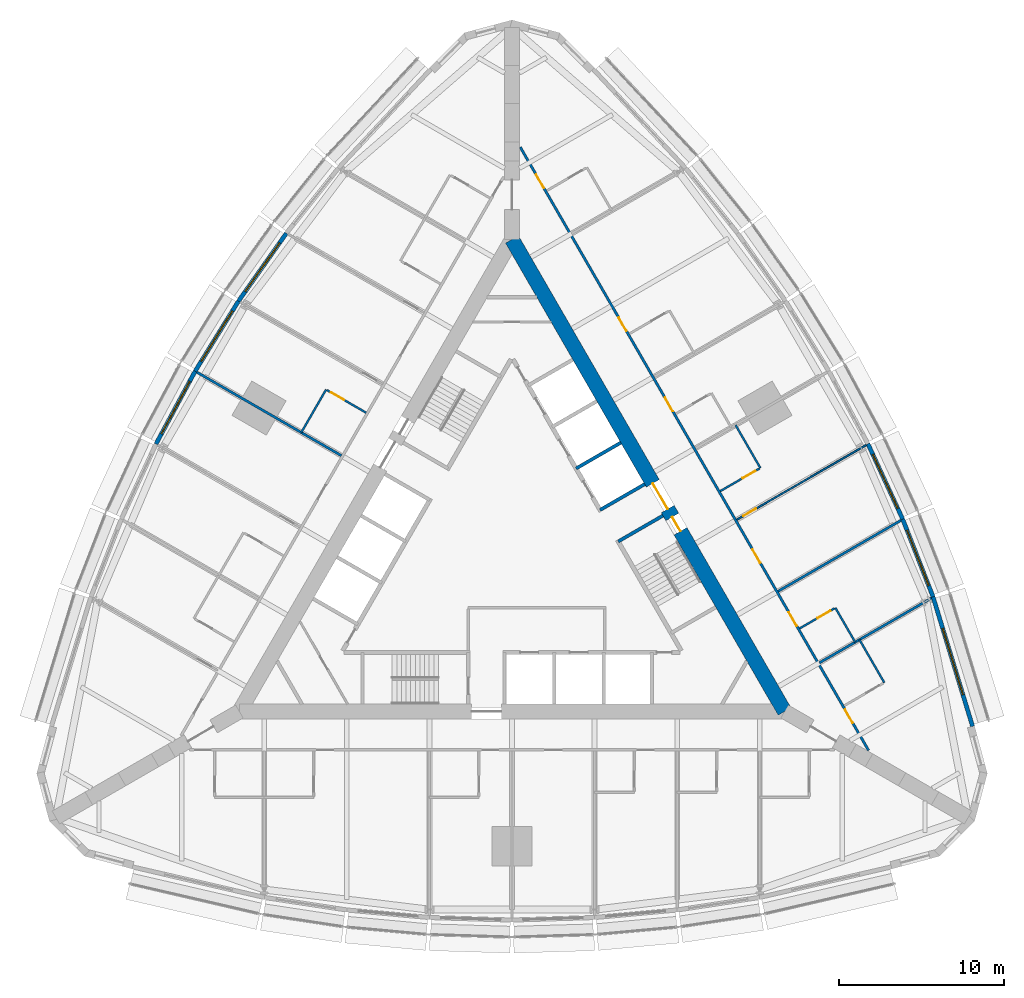
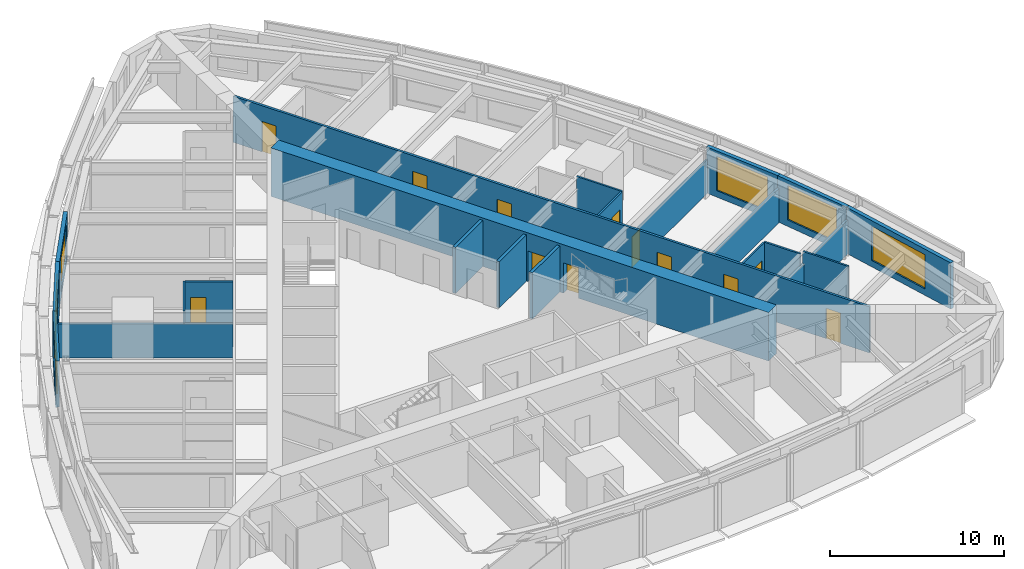
# One storey, part 11 of 14: 22 walls, 12 doors, 6 windows, 18 openings.
"""IFC4 building model written with IfcOpenShell, lengths in metres."""

from ifc_helpers import new_model, si_unit, direction, frame, frame_2d, origin, place, context, subcontext, project, spatial, rectangle, extrude, material, layer, layer_set, type_object, element, fill, save


model = new_model("IFC4")

# Units and contexts
model_context = context("Model", 3, precision=1e-05, world=origin(), true_north=direction((0.0, 1.0)))
body_context = subcontext(model_context, "Body", "Model", "MODEL_VIEW")
ifc_project = project(units=[si_unit("LENGTHUNIT", "METRE"), si_unit("AREAUNIT", "SQUARE_METRE"), si_unit("VOLUMEUNIT", "CUBIC_METRE"), si_unit("PLANEANGLEUNIT", "RADIAN"), si_unit("MASSUNIT", "GRAM", prefix="KILO")], contexts=[model_context])

# Site, building, storey
site_placement = place(None, origin())
site = spatial("IfcSite", under=ifc_project, at=site_placement, CompositionType="ELEMENT")
building_placement = place(site_placement, origin())
building = spatial("IfcBuilding", under=site, at=building_placement, Name="Trikona Tower", CompositionType="ELEMENT")
storey_placement = place(building_placement, frame((0.0, 0.0, 79.5)))
storey = spatial("IfcBuildingStorey", under=building, at=storey_placement, Name="L20", CompositionType="ELEMENT", Elevation=79.5)

# Walls
ifc_material_1 = material(Name="Metal stud and cement board", Category="gypsum")
ifc_layer_1 = layer(ifc_material_1, 0.1201171875)
ifc_layer_set_1 = layer_set([ifc_layer_1], Name="Bathroom wall 120")
wall_type_1 = type_object("IfcWallType", Name="Bathroom wall 120", PredefinedType="PLUMBINGWALL", material=ifc_layer_set_1)
wall_1_placement = place(storey_placement, frame((22.53271484375, -7.775390625, 0.0), z_axis=(0.0, 0.0, 1.0), x_axis=(-0.499990139034, 0.866031096941, 0.0)))
element("IfcWall", 1, at=wall_1_placement, inside=storey, type_object=wall_type_1, Name="Bathroom wall 2007", PredefinedType="PLUMBINGWALL", context=body_context, shape_type="SweptSolid", body=[
    extrude(rectangle(XDim=3.0, YDim=0.1201171875, at=frame_2d((1.5, 0.0))), origin(), (0.0, 0.0, 1.0), 3.235107421875),
])
wall_2_placement = place(storey_placement, frame((20.77294921875, -5.3271484375, 0.0), z_axis=(0.0, 0.0, 1.0), x_axis=(-0.500001309137, 0.866024647952, 0.0)))
element("IfcWall", 2, at=wall_2_placement, inside=storey, type_object=wall_type_1, Name="Bathroom wall 2008", PredefinedType="PLUMBINGWALL", context=body_context, shape_type="SweptSolid", body=[
    extrude(rectangle(XDim=2.39990234375, YDim=0.1201171875, at=frame_2d((1.199951171875, 0.0))), origin(), (0.0, 0.0, 1.0), 3.235107421875),
])

# Wall, opening, door
wall_3_placement = place(storey_placement, frame((17.407958984375, -4.498779296875, 0.0), z_axis=(0.0, 0.0, 1.0), x_axis=(0.866023955769, 0.500002508028, 0.0)))
wall_3 = element("IfcWall", 3, at=wall_3_placement, inside=storey, type_object=wall_type_1, Name="Bathroom wall 2008", PredefinedType="PLUMBINGWALL", context=body_context, shape_type="SweptSolid", body=[
    extrude(rectangle(XDim=2.43994140625, YDim=0.1201171875, at=frame_2d((1.219970703125, 0.0))), origin(), (0.0, 0.0, 1.0), 3.235107421875),
])
opening_1_placement = place(wall_3_placement, frame((1.25, 0.0, 0.0)))
opening_1 = element("IfcOpeningElement", 4, at=opening_1_placement, cuts=wall_3, Name="Opening D2", PredefinedType="OPENING", context=body_context, shape_type="SweptSolid", body=[
    extrude(rectangle(XDim=0.89990234375, YDim=2.1298828125, at=frame_2d((0.449951171875, 1.06494140625))), frame((0.0, 0.070068359375, 0.0), z_axis=(0.0, -1.0, 0.0), x_axis=(1.0, 0.0, 0.0)), (0.0, 0.0, 1.0), 0.14013671875),
])
ifc_material_2 = material(Name="Steel door frame with solid-core timber leaf", Category="steel")
door_type_1 = type_object("IfcDoorType", Name="Bathroom door 900x2130", OperationType="SLIDING_TO_LEFT", PredefinedType="DOOR", material=ifc_material_2)
door_1_placement = place(opening_1_placement, origin())
door_1 = element("IfcDoor", 5, at=door_1_placement, inside=storey, type_object=door_type_1, Name="Bathroom door 2008", OperationType="SLIDING_TO_LEFT", OverallHeight=2.1298828125, OverallWidth=0.89990234375, PredefinedType="DOOR", context=body_context, shape_type="SweptSolid", body=[
    extrude(rectangle(XDim=0.89990234375, YDim=2.1298828125, at=frame_2d((0.449951171875, 1.06494140625))), frame((0.0, 0.02490234375, 0.0), z_axis=(0.0, -1.0, 0.0), x_axis=(1.0, 0.0, 0.0)), (0.0, 0.0, 1.0), 0.050048828125),
])
fill(opening_1, door_1)

# Wall
wall_4_placement = place(storey_placement, frame((15.03271484375, 5.215087890625, 0.0), z_axis=(0.0, 0.0, 1.0), x_axis=(-0.50002537861, 0.866010750942, 0.0)))
element("IfcWall", 6, at=wall_4_placement, inside=storey, type_object=wall_type_1, Name="Bathroom wall 2009.1", PredefinedType="PLUMBINGWALL", context=body_context, shape_type="SweptSolid", body=[
    extrude(rectangle(XDim=2.999755859375, YDim=0.1201171875, at=frame_2d((1.5, 0.0))), origin(), (0.0, 0.0, 1.0), 3.235107421875),
])

# Wall, opening, door
wall_5_placement = place(storey_placement, frame((12.60791015625, 3.815185546875, 0.0), z_axis=(0.0, 0.0, 1.0), x_axis=(0.866035715982, 0.499982138324, 0.0)))
wall_5 = element("IfcWall", 7, at=wall_5_placement, inside=storey, type_object=wall_type_1, Name="Bathroom wall 2009.1", PredefinedType="PLUMBINGWALL", context=body_context, shape_type="SweptSolid", body=[
    extrude(rectangle(XDim=2.73974609375, YDim=0.1201171875, at=frame_2d((1.369873046875, 0.0))), origin(), (0.0, 0.0, 1.0), 3.235107421875),
])
opening_2_placement = place(wall_5_placement, frame((1.550048828125, 0.0, 0.0)))
opening_2 = element("IfcOpeningElement", 8, at=opening_2_placement, cuts=wall_5, Name="Opening D2", PredefinedType="OPENING", context=body_context, shape_type="SweptSolid", body=[
    extrude(rectangle(XDim=0.89990234375, YDim=2.1298828125, at=frame_2d((0.449951171875, 1.06494140625))), frame((0.0, 0.070068359375, 0.0), z_axis=(0.0, -1.0, 0.0), x_axis=(1.0, 0.0, 0.0)), (0.0, 0.0, 1.0), 0.14013671875),
])
door_2_placement = place(opening_2_placement, origin())
door_2 = element("IfcDoor", 9, at=door_2_placement, inside=storey, type_object=door_type_1, Name="Bathroom door 2009.1", OperationType="SLIDING_TO_LEFT", OverallHeight=2.1298828125, OverallWidth=0.89990234375, PredefinedType="DOOR", context=body_context, shape_type="SweptSolid", body=[
    extrude(rectangle(XDim=0.89990234375, YDim=2.1298828125, at=frame_2d((0.449951171875, 1.06494140625))), frame((0.0, 0.02490234375, 0.0), z_axis=(0.0, -1.0, 0.0), x_axis=(1.0, 0.0, 0.0)), (0.0, 0.0, 1.0), 0.050048828125),
])
fill(opening_2, door_2)

# Wall
wall_6_placement = place(storey_placement, frame((-11.25341796875, 9.961181640625, 0.0), z_axis=(0.0, 0.0, 1.0), x_axis=(-0.499990139034, -0.866031096941, 0.0)))
element("IfcWall", 10, at=wall_6_placement, inside=storey, type_object=wall_type_1, Name="Bathroom wall 2014.2", PredefinedType="PLUMBINGWALL", context=body_context, shape_type="SweptSolid", body=[
    extrude(rectangle(XDim=3.0, YDim=0.1201171875, at=frame_2d((1.5, 0.0))), origin(), (0.0, 0.0, 1.0), 3.235107421875),
])

# Wall, opening, door
wall_7_placement = place(storey_placement, frame((-8.82861328125, 8.561279296875, 0.0), z_axis=(0.0, 0.0, 1.0), x_axis=(-0.866035715982, 0.499982138324, 0.0)))
wall_7 = element("IfcWall", 11, at=wall_7_placement, inside=storey, type_object=wall_type_1, Name="Bathroom wall 2014.2", PredefinedType="PLUMBINGWALL", context=body_context, shape_type="SweptSolid", body=[
    extrude(rectangle(XDim=2.73974609375, YDim=0.1201171875, at=frame_2d((1.369873046875, 0.0))), origin(), (0.0, 0.0, 1.0), 3.235107421875),
])
opening_3_placement = place(wall_7_placement, frame((1.550048828125, 0.0, 0.0)))
opening_3 = element("IfcOpeningElement", 12, at=opening_3_placement, cuts=wall_7, Name="Opening D2", PredefinedType="OPENING", context=body_context, shape_type="SweptSolid", body=[
    extrude(rectangle(XDim=0.89990234375, YDim=2.1298828125, at=frame_2d((0.449951171875, 1.06494140625))), frame((0.0, 0.070068359375, 0.0), z_axis=(0.0, -1.0, 0.0), x_axis=(1.0, 0.0, 0.0)), (0.0, 0.0, 1.0), 0.14013671875),
])
door_3_placement = place(opening_3_placement, origin())
door_3 = element("IfcDoor", 13, at=door_3_placement, inside=storey, type_object=door_type_1, Name="Bathroom door 2014.2", OperationType="SLIDING_TO_LEFT", OverallHeight=2.1298828125, OverallWidth=0.89990234375, PredefinedType="DOOR", context=body_context, shape_type="SweptSolid", body=[
    extrude(rectangle(XDim=0.89990234375, YDim=2.1298828125, at=frame_2d((0.449951171875, 1.06494140625))), frame((0.0, 0.02490234375, 0.0), z_axis=(0.0, -1.0, 0.0), x_axis=(1.0, 0.0, 0.0)), (0.0, 0.0, 1.0), 0.050048828125),
])
fill(opening_3, door_3)

# Wall, openings, doors
ifc_material_3 = material(Name="Concrete f'c 10000 psi", Category="concrete")
ifc_layer_2 = layer(ifc_material_3, 0.89990234375)
ifc_layer_set_2 = layer_set([ifc_layer_2], Name="Core wall 900")
wall_type_2 = type_object("IfcWallType", Name="Core wall 900", PredefinedType="SHEAR", material=ifc_layer_set_2)
wall_8_placement = place(storey_placement, frame((16.5, -9.5263671875, 0.0), z_axis=(0.0, 0.0, 1.0), x_axis=(-0.499999749417, 0.866025548458, 0.0)))
wall_8 = element("IfcWall", 14, at=wall_8_placement, inside=storey, type_object=wall_type_2, Name="Core wall B", PredefinedType="SHEAR", context=body_context, shape_type="SweptSolid", body=[
    extrude(rectangle(XDim=33.0, YDim=0.89990234375, at=frame_2d((16.5, 0.0))), origin(), (0.0, 0.0, 1.0), 3.39990234375),
])
opening_4_placement = place(wall_8_placement, frame((14.14990234375, 0.0, 0.0)))
opening_4 = element("IfcOpeningElement", 15, at=opening_4_placement, cuts=wall_8, Name="Opening D6", PredefinedType="OPENING", context=body_context, shape_type="SweptSolid", body=[
    extrude(rectangle(XDim=1.800048828125, YDim=2.1298828125, at=frame_2d((0.89990234375, 1.06494140625))), frame((0.0, 0.4599609375, 0.0), z_axis=(0.0, -1.0, 0.0), x_axis=(1.0, 0.0, 0.0)), (0.0, 0.0, 1.0), 0.919921875),
])
opening_5_placement = place(wall_8_placement, frame((12.60009765625, 0.0, 0.0)))
opening_5 = element("IfcOpeningElement", 16, at=opening_5_placement, cuts=wall_8, Name="Opening D5", PredefinedType="OPENING", context=body_context, shape_type="SweptSolid", body=[
    extrude(rectangle(XDim=1.0, YDim=2.1298828125, at=frame_2d((0.5, 1.06494140625))), frame((0.0, 0.4599609375, 0.0), z_axis=(0.0, -1.0, 0.0), x_axis=(1.0, 0.0, 0.0)), (0.0, 0.0, 1.0), 0.919921875),
])
ifc_material_4 = material(Name="Hollow metal door and frame", Category="steel")
door_type_2 = type_object("IfcDoorType", Name="Lobby door pair 1800x2130", OperationType="DOUBLE_DOOR_SINGLE_SWING", PredefinedType="DOOR", material=ifc_material_4)
door_4_placement = place(opening_4_placement, origin())
door_4 = element("IfcDoor", 17, at=door_4_placement, inside=storey, type_object=door_type_2, Name="Lift lobby door B", OperationType="DOUBLE_DOOR_SINGLE_SWING", OverallHeight=2.1298828125, OverallWidth=1.800048828125, PredefinedType="DOOR", context=body_context, shape_type="SweptSolid", body=[
    extrude(rectangle(XDim=1.800048828125, YDim=2.1298828125, at=frame_2d((0.89990234375, 1.06494140625))), frame((0.0, 0.02490234375, 0.0), z_axis=(0.0, -1.0, 0.0), x_axis=(1.0, 0.0, 0.0)), (0.0, 0.0, 1.0), 0.050048828125),
])
fill(opening_4, door_4)
ifc_material_5 = material(Name="Hollow metal door and frame", Category="steel")
door_type_3 = type_object("IfcDoorType", Name="Stair door 1000x2130", OperationType="SINGLE_SWING_LEFT", PredefinedType="DOOR", material=ifc_material_5)
door_5_placement = place(opening_5_placement, origin())
door_5 = element("IfcDoor", 18, at=door_5_placement, inside=storey, type_object=door_type_3, Name="Stair B door", OperationType="SINGLE_SWING_RIGHT", OverallHeight=2.1298828125, OverallWidth=1.0, PredefinedType="DOOR", context=body_context, shape_type="SweptSolid", body=[
    extrude(rectangle(XDim=1.0, YDim=2.1298828125, at=frame_2d((0.5, 1.06494140625))), frame((0.0, 0.02490234375, 0.0), z_axis=(0.0, -1.0, 0.0), x_axis=(1.0, 0.0, 0.0)), (0.0, 0.0, 1.0), 0.050048828125),
])
fill(opening_5, door_5)

ifc_material_6 = material(Name="Metal stud and gypsum board, 1-hour", Category="gypsum")
ifc_layer_3 = layer(ifc_material_6, 0.14990234375)
ifc_layer_set_3 = layer_set([ifc_layer_3], Name="Corridor wall 150")
wall_type_3 = type_object("IfcWallType", Name="Corridor wall 150", PredefinedType="PARTITIONING", material=ifc_layer_set_3)
wall_9_placement = place(storey_placement, frame((21.5859375, -11.88525390625, 0.0), z_axis=(0.0, 0.0, 1.0), x_axis=(-0.500001915564, 0.86602429783, 0.0)))
wall_9 = element("IfcWall", 19, at=wall_9_placement, inside=storey, type_object=wall_type_3, Name="Corridor wall L20-2", PredefinedType="PARTITIONING", context=body_context, shape_type="SweptSolid", body=[
    extrude(rectangle(XDim=42.171630859375, YDim=0.14990234375, at=frame_2d((21.0859375, 0.0))), origin(), (0.0, 0.0, 1.0), 3.235107421875),
])
opening_6_placement = place(wall_9_placement, frame((1.910888671875, 0.0, 0.0)))
opening_6 = element("IfcOpeningElement", 20, at=opening_6_placement, cuts=wall_9, Name="Opening D1", PredefinedType="OPENING", context=body_context, shape_type="SweptSolid", body=[
    extrude(rectangle(XDim=0.949951171875, YDim=2.1298828125, at=frame_2d((0.47509765625, 1.06494140625))), frame((0.0, 0.0849609375, 0.0), z_axis=(0.0, -1.0, 0.0), x_axis=(1.0, 0.0, 0.0)), (0.0, 0.0, 1.0), 0.169921875),
])
opening_7_placement = place(wall_9_placement, frame((8.7109375, 0.0, 0.0)))
opening_7 = element("IfcOpeningElement", 21, at=opening_7_placement, cuts=wall_9, Name="Opening D1", PredefinedType="OPENING", context=body_context, shape_type="SweptSolid", body=[
    extrude(rectangle(XDim=0.949951171875, YDim=2.1298828125, at=frame_2d((0.47509765625, 1.06494140625))), frame((0.0, 0.0849609375, 0.0), z_axis=(0.0, -1.0, 0.0), x_axis=(1.0, 0.0, 0.0)), (0.0, 0.0, 1.0), 0.169921875),
])
opening_8_placement = place(wall_9_placement, frame((13.11083984375, 0.0, 0.0)))
opening_8 = element("IfcOpeningElement", 22, at=opening_8_placement, cuts=wall_9, Name="Opening D1", PredefinedType="OPENING", context=body_context, shape_type="SweptSolid", body=[
    extrude(rectangle(XDim=0.949951171875, YDim=2.1298828125, at=frame_2d((0.47509765625, 1.06494140625))), frame((0.0, 0.0849609375, 0.0), z_axis=(0.0, -1.0, 0.0), x_axis=(1.0, 0.0, 0.0)), (0.0, 0.0, 1.0), 0.169921875),
])
opening_9_placement = place(wall_9_placement, frame((23.7109375, 0.0, 0.0)))
opening_9 = element("IfcOpeningElement", 23, at=opening_9_placement, cuts=wall_9, Name="Opening D1", PredefinedType="OPENING", context=body_context, shape_type="SweptSolid", body=[
    extrude(rectangle(XDim=0.949951171875, YDim=2.1298828125, at=frame_2d((0.47509765625, 1.06494140625))), frame((0.0, 0.0849609375, 0.0), z_axis=(0.0, -1.0, 0.0), x_axis=(1.0, 0.0, 0.0)), (0.0, 0.0, 1.0), 0.169921875),
])
opening_10_placement = place(wall_9_placement, frame((29.310791015625, 0.0, 0.0)))
opening_10 = element("IfcOpeningElement", 24, at=opening_10_placement, cuts=wall_9, Name="Opening D1", PredefinedType="OPENING", context=body_context, shape_type="SweptSolid", body=[
    extrude(rectangle(XDim=0.949951171875, YDim=2.1298828125, at=frame_2d((0.47509765625, 1.06494140625))), frame((0.0, 0.0849609375, 0.0), z_axis=(0.0, -1.0, 0.0), x_axis=(1.0, 0.0, 0.0)), (0.0, 0.0, 1.0), 0.169921875),
])
opening_11_placement = place(wall_9_placement, frame((39.310791015625, 0.0, 0.0)))
opening_11 = element("IfcOpeningElement", 25, at=opening_11_placement, cuts=wall_9, Name="Opening D1", PredefinedType="OPENING", context=body_context, shape_type="SweptSolid", body=[
    extrude(rectangle(XDim=0.949951171875, YDim=2.1298828125, at=frame_2d((0.47509765625, 1.06494140625))), frame((0.0, 0.0849609375, 0.0), z_axis=(0.0, -1.0, 0.0), x_axis=(1.0, 0.0, 0.0)), (0.0, 0.0, 1.0), 0.169921875),
])
ifc_material_7 = material(Name="Steel door frame with solid-core timber leaf", Category="steel")
door_type_4 = type_object("IfcDoorType", Name="Guest room door 950x2130", OperationType="SINGLE_SWING_LEFT", PredefinedType="DOOR", material=ifc_material_7)
door_6_placement = place(opening_6_placement, origin())
door_6 = element("IfcDoor", 26, at=door_6_placement, inside=storey, type_object=door_type_4, Name="Room door 2007", OperationType="SINGLE_SWING_LEFT", OverallHeight=2.1298828125, OverallWidth=0.949951171875, PredefinedType="DOOR", context=body_context, shape_type="SweptSolid", body=[
    extrude(rectangle(XDim=0.949951171875, YDim=2.1298828125, at=frame_2d((0.47509765625, 1.06494140625))), frame((0.0, 0.02490234375, 0.0), z_axis=(0.0, -1.0, 0.0), x_axis=(1.0, 0.0, 0.0)), (0.0, 0.0, 1.0), 0.050048828125),
])
fill(opening_6, door_6)
door_7_placement = place(opening_7_placement, origin())
door_7 = element("IfcDoor", 27, at=door_7_placement, inside=storey, type_object=door_type_4, Name="Room door 2008", OperationType="SINGLE_SWING_RIGHT", OverallHeight=2.1298828125, OverallWidth=0.949951171875, PredefinedType="DOOR", context=body_context, shape_type="SweptSolid", body=[
    extrude(rectangle(XDim=0.949951171875, YDim=2.1298828125, at=frame_2d((0.47509765625, 1.06494140625))), frame((0.0, 0.02490234375, 0.0), z_axis=(0.0, -1.0, 0.0), x_axis=(1.0, 0.0, 0.0)), (0.0, 0.0, 1.0), 0.050048828125),
])
fill(opening_7, door_7)
door_8_placement = place(opening_8_placement, origin())
door_8 = element("IfcDoor", 28, at=door_8_placement, inside=storey, type_object=door_type_4, Name="Room door 2009", OperationType="SINGLE_SWING_LEFT", OverallHeight=2.1298828125, OverallWidth=0.949951171875, PredefinedType="DOOR", context=body_context, shape_type="SweptSolid", body=[
    extrude(rectangle(XDim=0.949951171875, YDim=2.1298828125, at=frame_2d((0.47509765625, 1.06494140625))), frame((0.0, 0.02490234375, 0.0), z_axis=(0.0, -1.0, 0.0), x_axis=(1.0, 0.0, 0.0)), (0.0, 0.0, 1.0), 0.050048828125),
])
fill(opening_8, door_8)
door_9_placement = place(opening_9_placement, origin())
door_9 = element("IfcDoor", 29, at=door_9_placement, inside=storey, type_object=door_type_4, Name="Room door 2010", OperationType="SINGLE_SWING_RIGHT", OverallHeight=2.1298828125, OverallWidth=0.949951171875, PredefinedType="DOOR", context=body_context, shape_type="SweptSolid", body=[
    extrude(rectangle(XDim=0.949951171875, YDim=2.1298828125, at=frame_2d((0.47509765625, 1.06494140625))), frame((0.0, 0.02490234375, 0.0), z_axis=(0.0, -1.0, 0.0), x_axis=(1.0, 0.0, 0.0)), (0.0, 0.0, 1.0), 0.050048828125),
])
fill(opening_9, door_9)
door_10_placement = place(opening_10_placement, origin())
door_10 = element("IfcDoor", 30, at=door_10_placement, inside=storey, type_object=door_type_4, Name="Room door 2011", OperationType="SINGLE_SWING_LEFT", OverallHeight=2.1298828125, OverallWidth=0.949951171875, PredefinedType="DOOR", context=body_context, shape_type="SweptSolid", body=[
    extrude(rectangle(XDim=0.949951171875, YDim=2.1298828125, at=frame_2d((0.47509765625, 1.06494140625))), frame((0.0, 0.02490234375, 0.0), z_axis=(0.0, -1.0, 0.0), x_axis=(1.0, 0.0, 0.0)), (0.0, 0.0, 1.0), 0.050048828125),
])
fill(opening_10, door_10)
door_11_placement = place(opening_11_placement, origin())
door_11 = element("IfcDoor", 31, at=door_11_placement, inside=storey, type_object=door_type_4, Name="Room door 2012", OperationType="SINGLE_SWING_RIGHT", OverallHeight=2.1298828125, OverallWidth=0.949951171875, PredefinedType="DOOR", context=body_context, shape_type="SweptSolid", body=[
    extrude(rectangle(XDim=0.949951171875, YDim=2.1298828125, at=frame_2d((0.47509765625, 1.06494140625))), frame((0.0, 0.02490234375, 0.0), z_axis=(0.0, -1.0, 0.0), x_axis=(1.0, 0.0, 0.0)), (0.0, 0.0, 1.0), 0.050048828125),
])
fill(opening_11, door_11)

# Wall, opening, window
ifc_material_8 = material(Name="Insulated precast concrete spandrel panel", Category="concrete")
ifc_layer_4 = layer(ifc_material_8, 0.25)
ifc_layer_set_4 = layer_set([ifc_layer_4], Name="Inner skin wall 250")
wall_type_4 = type_object("IfcWallType", Name="Inner skin wall 250", PredefinedType="STANDARD", material=ifc_layer_set_4)
wall_10_placement = place(storey_placement, frame((27.88037109375, -10.4287109375, 0.0), z_axis=(0.0, 0.0, 1.0), x_axis=(-0.2919790669, 0.956424709265, 0.0)))
wall_10 = element("IfcWall", 32, at=wall_10_placement, inside=storey, type_object=wall_type_4, Name="External wall L20-12", PredefinedType="STANDARD", context=body_context, shape_type="SweptSolid", body=[
    extrude(rectangle(XDim=8.211181640625, YDim=0.25, at=frame_2d((4.10546875, 0.0))), origin(), (0.0, 0.0, 1.0), 3.235107421875),
])
opening_12_placement = place(wall_10_placement, frame((2.005615234375, 0.0, 0.449951171875)))
opening_12 = element("IfcOpeningElement", 33, at=opening_12_placement, cuts=wall_10, Name="Opening W4224", PredefinedType="OPENING", context=body_context, shape_type="SweptSolid", body=[
    extrude(rectangle(XDim=4.199951171875, YDim=2.39990234375, at=frame_2d((2.10009765625, 1.199951171875))), frame((0.0, 0.135009765625, 0.0), z_axis=(0.0, -1.0, 0.0), x_axis=(1.0, 0.0, 0.0)), (0.0, 0.0, 1.0), 0.27001953125),
])
ifc_material_9 = material(Name="Aluminium-framed double glazing", Category="aluminium")
window_type_1 = type_object("IfcWindowType", Name="Window 4200x2400", PartitioningType="SINGLE_PANEL", PredefinedType="WINDOW", material=ifc_material_9)
window_1_placement = place(opening_12_placement, origin())
window_1 = element("IfcWindow", 34, at=window_1_placement, inside=storey, type_object=window_type_1, Name="Window 2007", OverallHeight=2.39990234375, OverallWidth=4.199951171875, PartitioningType="SINGLE_PANEL", PredefinedType="WINDOW", context=body_context, shape_type="SweptSolid", body=[
    extrude(rectangle(XDim=4.199951171875, YDim=2.39990234375, at=frame_2d((2.10009765625, 1.199951171875))), frame((0.0, 0.030029296875, 0.0), z_axis=(0.0, -1.0, 0.0), x_axis=(1.0, 0.0, 0.0)), (0.0, 0.0, 1.0), 0.06005859375),
])
fill(opening_12, window_1)

wall_11_placement = place(storey_placement, frame((25.486083984375, -2.58447265625, 0.0), z_axis=(0.0, 0.0, 1.0), x_axis=(-0.364013463868, 0.931393685894, 0.0)))
wall_11 = element("IfcWall", 35, at=wall_11_placement, inside=storey, type_object=wall_type_4, Name="External wall L20-13", PredefinedType="STANDARD", context=body_context, shape_type="SweptSolid", body=[
    extrude(rectangle(XDim=5.0576171875, YDim=0.25, at=frame_2d((2.52880859375, 0.0))), origin(), (0.0, 0.0, 1.0), 3.235107421875),
])
opening_13_placement = place(wall_11_placement, frame((0.728759765625, 0.0, 0.449951171875)))
opening_13 = element("IfcOpeningElement", 36, at=opening_13_placement, cuts=wall_11, Name="Opening W3624", PredefinedType="OPENING", context=body_context, shape_type="SweptSolid", body=[
    extrude(rectangle(XDim=3.60009765625, YDim=2.39990234375, at=frame_2d((1.800048828125, 1.199951171875))), frame((0.0, 0.135009765625, 0.0), z_axis=(0.0, -1.0, 0.0), x_axis=(1.0, 0.0, 0.0)), (0.0, 0.0, 1.0), 0.27001953125),
])
ifc_material_10 = material(Name="Aluminium-framed double glazing", Category="aluminium")
window_type_2 = type_object("IfcWindowType", Name="Window 3600x2400", PartitioningType="SINGLE_PANEL", PredefinedType="WINDOW", material=ifc_material_10)
window_2_placement = place(opening_13_placement, origin())
window_2 = element("IfcWindow", 37, at=window_2_placement, inside=storey, type_object=window_type_2, Name="Window 2008", OverallHeight=2.39990234375, OverallWidth=3.60009765625, PartitioningType="SINGLE_PANEL", PredefinedType="WINDOW", context=body_context, shape_type="SweptSolid", body=[
    extrude(rectangle(XDim=3.60009765625, YDim=2.39990234375, at=frame_2d((1.800048828125, 1.199951171875))), frame((0.0, 0.030029296875, 0.0), z_axis=(0.0, -1.0, 0.0), x_axis=(1.0, 0.0, 0.0)), (0.0, 0.0, 1.0), 0.06005859375),
])
fill(opening_13, window_2)

wall_12_placement = place(storey_placement, frame((23.64794921875, 2.119384765625, 0.0), z_axis=(0.0, 0.0, 1.0), x_axis=(-0.419203100754, 0.907892482796, 0.0)))
wall_12 = element("IfcWall", 38, at=wall_12_placement, inside=storey, type_object=wall_type_4, Name="External wall L20-14", PredefinedType="STANDARD", context=body_context, shape_type="SweptSolid", body=[
    extrude(rectangle(XDim=5.020751953125, YDim=0.25, at=frame_2d((2.51025390625, 0.0))), origin(), (0.0, 0.0, 1.0), 3.235107421875),
])
opening_14_placement = place(wall_12_placement, frame((0.71044921875, 0.0, 0.449951171875)))
opening_14 = element("IfcOpeningElement", 39, at=opening_14_placement, cuts=wall_12, Name="Opening W3624", PredefinedType="OPENING", context=body_context, shape_type="SweptSolid", body=[
    extrude(rectangle(XDim=3.60009765625, YDim=2.39990234375, at=frame_2d((1.800048828125, 1.199951171875))), frame((0.0, 0.135009765625, 0.0), z_axis=(0.0, -1.0, 0.0), x_axis=(1.0, 0.0, 0.0)), (0.0, 0.0, 1.0), 0.27001953125),
])
window_3_placement = place(opening_14_placement, origin())
window_3 = element("IfcWindow", 40, at=window_3_placement, inside=storey, type_object=window_type_2, Name="Window 2009", OverallHeight=2.39990234375, OverallWidth=3.60009765625, PartitioningType="SINGLE_PANEL", PredefinedType="WINDOW", context=body_context, shape_type="SweptSolid", body=[
    extrude(rectangle(XDim=3.60009765625, YDim=2.39990234375, at=frame_2d((1.800048828125, 1.199951171875))), frame((0.0, 0.030029296875, 0.0), z_axis=(0.0, -1.0, 0.0), x_axis=(1.0, 0.0, 0.0)), (0.0, 0.0, 1.0), 0.06005859375),
])
fill(opening_14, window_3)

wall_13_placement = place(storey_placement, frame((-13.659423828125, 19.420166015625, 0.0), z_axis=(0.0, 0.0, 1.0), x_axis=(-0.5766431066, -0.81699616132, 0.0)))
wall_13 = element("IfcWall", 41, at=wall_13_placement, inside=storey, type_object=wall_type_4, Name="External wall L20-26", PredefinedType="STANDARD", context=body_context, shape_type="SweptSolid", body=[
    extrude(rectangle(XDim=5.02099609375, YDim=0.25, at=frame_2d((2.510498046875, 0.0))), origin(), (0.0, 0.0, 1.0), 3.235107421875),
])
opening_15_placement = place(wall_13_placement, frame((0.71044921875, 0.0, 0.449951171875)))
opening_15 = element("IfcOpeningElement", 42, at=opening_15_placement, cuts=wall_13, Name="Opening W3624", PredefinedType="OPENING", context=body_context, shape_type="SweptSolid", body=[
    extrude(rectangle(XDim=3.60009765625, YDim=2.39990234375, at=frame_2d((1.800048828125, 1.199951171875))), frame((0.0, 0.135009765625, 0.0), z_axis=(0.0, -1.0, 0.0), x_axis=(1.0, 0.0, 0.0)), (0.0, 0.0, 1.0), 0.27001953125),
])
window_4_placement = place(opening_15_placement, origin())
window_4 = element("IfcWindow", 43, at=window_4_placement, inside=storey, type_object=window_type_2, Name="Window 2014", OverallHeight=2.39990234375, OverallWidth=3.60009765625, PartitioningType="SINGLE_PANEL", PredefinedType="WINDOW", context=body_context, shape_type="SweptSolid", body=[
    extrude(rectangle(XDim=3.60009765625, YDim=2.39990234375, at=frame_2d((1.800048828125, 1.199951171875))), frame((0.0, 0.030029296875, 0.0), z_axis=(0.0, -1.0, 0.0), x_axis=(1.0, 0.0, 0.0)), (0.0, 0.0, 1.0), 0.06005859375),
])
fill(opening_15, window_4)

wall_14_placement = place(storey_placement, frame((-16.550537109375, 15.324462890625, 0.0), z_axis=(0.0, 0.0, 1.0), x_axis=(-0.526132807704, -0.850402415717, 0.0)))
wall_14 = element("IfcWall", 44, at=wall_14_placement, inside=storey, type_object=wall_type_4, Name="External wall L20-27", PredefinedType="STANDARD", context=body_context, shape_type="SweptSolid", body=[
    extrude(rectangle(XDim=5.002197265625, YDim=0.25, at=frame_2d((2.5009765625, 0.0))), origin(), (0.0, 0.0, 1.0), 3.235107421875),
])
opening_16_placement = place(wall_14_placement, frame((0.701171875, 0.0, 0.449951171875)))
opening_16 = element("IfcOpeningElement", 45, at=opening_16_placement, cuts=wall_14, Name="Opening W3624", PredefinedType="OPENING", context=body_context, shape_type="SweptSolid", body=[
    extrude(rectangle(XDim=3.60009765625, YDim=2.39990234375, at=frame_2d((1.800048828125, 1.199951171875))), frame((0.0, 0.135009765625, 0.0), z_axis=(0.0, -1.0, 0.0), x_axis=(1.0, 0.0, 0.0)), (0.0, 0.0, 1.0), 0.27001953125),
])
window_5_placement = place(opening_16_placement, origin())
window_5 = element("IfcWindow", 46, at=window_5_placement, inside=storey, type_object=window_type_2, Name="Window 2014.2", OverallHeight=2.39990234375, OverallWidth=3.60009765625, PartitioningType="SINGLE_PANEL", PredefinedType="WINDOW", context=body_context, shape_type="SweptSolid", body=[
    extrude(rectangle(XDim=3.60009765625, YDim=2.39990234375, at=frame_2d((1.800048828125, 1.199951171875))), frame((0.0, 0.030029296875, 0.0), z_axis=(0.0, -1.0, 0.0), x_axis=(1.0, 0.0, 0.0)), (0.0, 0.0, 1.0), 0.06005859375),
])
fill(opening_16, window_5)

wall_15_placement = place(storey_placement, frame((-19.178466796875, 11.0771484375, 0.0), z_axis=(0.0, 0.0, 1.0), x_axis=(-0.473412820489, -0.880840678782, 0.0)))
wall_15 = element("IfcWall", 47, at=wall_15_placement, inside=storey, type_object=wall_type_4, Name="External wall L20-28", PredefinedType="STANDARD", context=body_context, shape_type="SweptSolid", body=[
    extrude(rectangle(XDim=5.00244140625, YDim=0.25, at=frame_2d((2.501220703125, 0.0))), origin(), (0.0, 0.0, 1.0), 3.235107421875),
])
opening_17_placement = place(wall_15_placement, frame((0.701171875, 0.0, 0.449951171875)))
opening_17 = element("IfcOpeningElement", 48, at=opening_17_placement, cuts=wall_15, Name="Opening W3624", PredefinedType="OPENING", context=body_context, shape_type="SweptSolid", body=[
    extrude(rectangle(XDim=3.60009765625, YDim=2.39990234375, at=frame_2d((1.800048828125, 1.199951171875))), frame((0.0, 0.135009765625, 0.0), z_axis=(0.0, -1.0, 0.0), x_axis=(1.0, 0.0, 0.0)), (0.0, 0.0, 1.0), 0.27001953125),
])
window_6_placement = place(opening_17_placement, origin())
window_6 = element("IfcWindow", 49, at=window_6_placement, inside=storey, type_object=window_type_2, Name="Window 2015", OverallHeight=2.39990234375, OverallWidth=3.60009765625, PartitioningType="SINGLE_PANEL", PredefinedType="WINDOW", context=body_context, shape_type="SweptSolid", body=[
    extrude(rectangle(XDim=3.60009765625, YDim=2.39990234375, at=frame_2d((1.800048828125, 1.199951171875))), frame((0.0, 0.030029296875, 0.0), z_axis=(0.0, -1.0, 0.0), x_axis=(1.0, 0.0, 0.0)), (0.0, 0.0, 1.0), 0.06005859375),
])
fill(opening_17, window_6)

# Walls
ifc_material_11 = material(Name="Metal stud and gypsum board, 1-hour acoustic", Category="gypsum")
ifc_layer_5 = layer(ifc_material_11, 0.14990234375)
ifc_layer_set_5 = layer_set([ifc_layer_5], Name="Party wall 150")
wall_type_5 = type_object("IfcWallType", Name="Party wall 150", PredefinedType="PARTITIONING", material=ifc_layer_set_5)
wall_16_placement = place(storey_placement, frame((18.60791015625, -6.5771484375, 0.0), z_axis=(0.0, 0.0, 1.0), x_axis=(0.866034818847, 0.499983692279, 0.0)))
element("IfcWall", 50, at=wall_16_placement, inside=storey, type_object=wall_type_5, Name="Partition L20 F2 u-15", PredefinedType="PARTITIONING", context=body_context, shape_type="SweptSolid", body=[
    extrude(rectangle(XDim=7.820068359375, YDim=0.14990234375, at=frame_2d((3.91015625, 0.0))), origin(), (0.0, 0.0, 1.0), 2.38916015625),
])
wall_17_placement = place(storey_placement, frame((16.10791015625, -2.2470703125, 0.0), z_axis=(0.0, 0.0, 1.0), x_axis=(0.866018881988, 0.500011295912, 0.0)))
element("IfcWall", 51, at=wall_17_placement, inside=storey, type_object=wall_type_5, Name="Partition L20 F2 u-10", PredefinedType="PARTITIONING", context=body_context, shape_type="SweptSolid", body=[
    extrude(rectangle(XDim=8.584716796875, YDim=0.14990234375, at=frame_2d((4.29248046875, 0.0))), origin(), (0.0, 0.0, 1.0), 2.38916015625),
])
wall_18_placement = place(storey_placement, frame((-10.32861328125, 5.963134765625, 0.0), z_axis=(0.0, 0.0, 1.0), x_axis=(-0.866021688545, 0.500006434927, 0.0)))
element("IfcWall", 52, at=wall_18_placement, inside=storey, type_object=wall_type_5, Name="Partition L20 F3 u-5.10703e-15", PredefinedType="PARTITIONING", context=body_context, shape_type="SweptSolid", body=[
    extrude(rectangle(XDim=10.095947265625, YDim=0.14990234375, at=frame_2d((5.0478515625, 0.0))), origin(), (0.0, 0.0, 1.0), 2.38916015625),
])
ifc_material_12 = material(Name="Concrete f'c 8000 psi", Category="concrete")
ifc_layer_6 = layer(ifc_material_12, 0.199951171875)
ifc_layer_set_6 = layer_set([ifc_layer_6], Name="Shaft wall 200")
wall_type_6 = type_object("IfcWallType", Name="Shaft wall 200", PredefinedType="SOLIDWALL", material=ifc_layer_set_6)
for number, where, z_axis, x_axis, name in (
    (53, (5.3291015625, 2.672607421875, 0.0), (0.0, 0.0, 1.0), (0.866022959057, 0.500004234368, 0.0), "Shaft wall B3"),
    (54, (3.87890625, 5.18408203125, 0.0), (0.0, 0.0, 1.0), (0.866022959057, 0.500004234368, 0.0), "Shaft wall B4"),
):
    element("IfcWall", number, at=place(storey_placement, frame(where, z_axis=z_axis, x_axis=x_axis)), inside=storey, type_object=wall_type_6, Name=name, PredefinedType="SOLIDWALL", context=body_context, shape_type="SweptSolid", body=[
        extrude(rectangle(XDim=3.125, YDim=0.199951171875, at=frame_2d((1.5625, 0.0))), origin(), (0.0, 0.0, 1.0), 3.235107421875),
    ])
ifc_material_13 = material(Name="Concrete f'c 8000 psi", Category="concrete")
ifc_layer_7 = layer(ifc_material_13, 0.199951171875)
ifc_layer_set_7 = layer_set([ifc_layer_7], Name="Shaft wall 200 load-bearing")
wall_type_7 = type_object("IfcWallType", Name="Shaft wall 200 load-bearing", PredefinedType="SOLIDWALL", material=ifc_layer_set_7)
wall_19_placement = place(storey_placement, frame((6.428955078125, 0.767333984375, 0.0), z_axis=(0.0, 0.0, 1.0), x_axis=(0.866022959057, 0.500004234368, 0.0)))
element("IfcWall", 55, at=wall_19_placement, inside=storey, type_object=wall_type_7, Name="Shaft wall B2", PredefinedType="SOLIDWALL", context=body_context, shape_type="SweptSolid", body=[
    extrude(rectangle(XDim=3.125, YDim=0.199951171875, at=frame_2d((1.5625, 0.0))), origin(), (0.0, 0.0, 1.0), 3.235107421875),
])

# Wall, opening, door
ifc_material_14 = material(Name="Metal stud and gypsum board, acoustic", Category="gypsum")
ifc_layer_8 = layer(ifc_material_14, 0.10009765625)
ifc_layer_set_8 = layer_set([ifc_layer_8], Name="Suite partition 100")
wall_type_8 = type_object("IfcWallType", Name="Suite partition 100", PredefinedType="PARTITIONING", material=ifc_layer_set_8)
wall_20_placement = place(storey_placement, frame((13.60791015625, 2.0830078125, 0.0), z_axis=(0.0, 0.0, 1.0), x_axis=(0.866028232062, 0.499995101247, 0.0)))
wall_20 = element("IfcWall", 56, at=wall_20_placement, inside=storey, type_object=wall_type_8, Name="Suite partition L20 F2 u-5", PredefinedType="PARTITIONING", context=body_context, shape_type="SweptSolid", body=[
    extrude(rectangle(XDim=9.04296875, YDim=0.10009765625, at=frame_2d((4.521484375, 0.0))), origin(), (0.0, 0.0, 1.0), 2.38916015625),
])
opening_18_placement = place(wall_20_placement, frame((0.449951171875, 0.0, 0.0)))
opening_18 = element("IfcOpeningElement", 57, at=opening_18_placement, cuts=wall_20, Name="Opening D13", PredefinedType="OPENING", context=body_context, shape_type="SweptSolid", body=[
    extrude(rectangle(XDim=0.89990234375, YDim=2.1298828125, at=frame_2d((0.449951171875, 1.06494140625))), frame((0.0, 0.06005859375, 0.0), z_axis=(0.0, -1.0, 0.0), x_axis=(1.0, 0.0, 0.0)), (0.0, 0.0, 1.0), 0.1201171875),
])
ifc_material_15 = material(Name="Steel door frame with solid-core timber leaf", Category="steel")
door_type_5 = type_object("IfcDoorType", Name="Suite door 900x2130", OperationType="SINGLE_SWING_LEFT", PredefinedType="DOOR", material=ifc_material_15)
door_12_placement = place(opening_18_placement, origin())
door_12 = element("IfcDoor", 58, at=door_12_placement, inside=storey, type_object=door_type_5, Name="Suite door 2009", OperationType="SINGLE_SWING_LEFT", OverallHeight=2.1298828125, OverallWidth=0.89990234375, PredefinedType="DOOR", context=body_context, shape_type="SweptSolid", body=[
    extrude(rectangle(XDim=0.89990234375, YDim=2.1298828125, at=frame_2d((0.449951171875, 1.06494140625))), frame((0.0, 0.02490234375, 0.0), z_axis=(0.0, -1.0, 0.0), x_axis=(1.0, 0.0, 0.0)), (0.0, 0.0, 1.0), 0.050048828125),
])
fill(opening_18, door_12)

save(model, "model.ifc")
